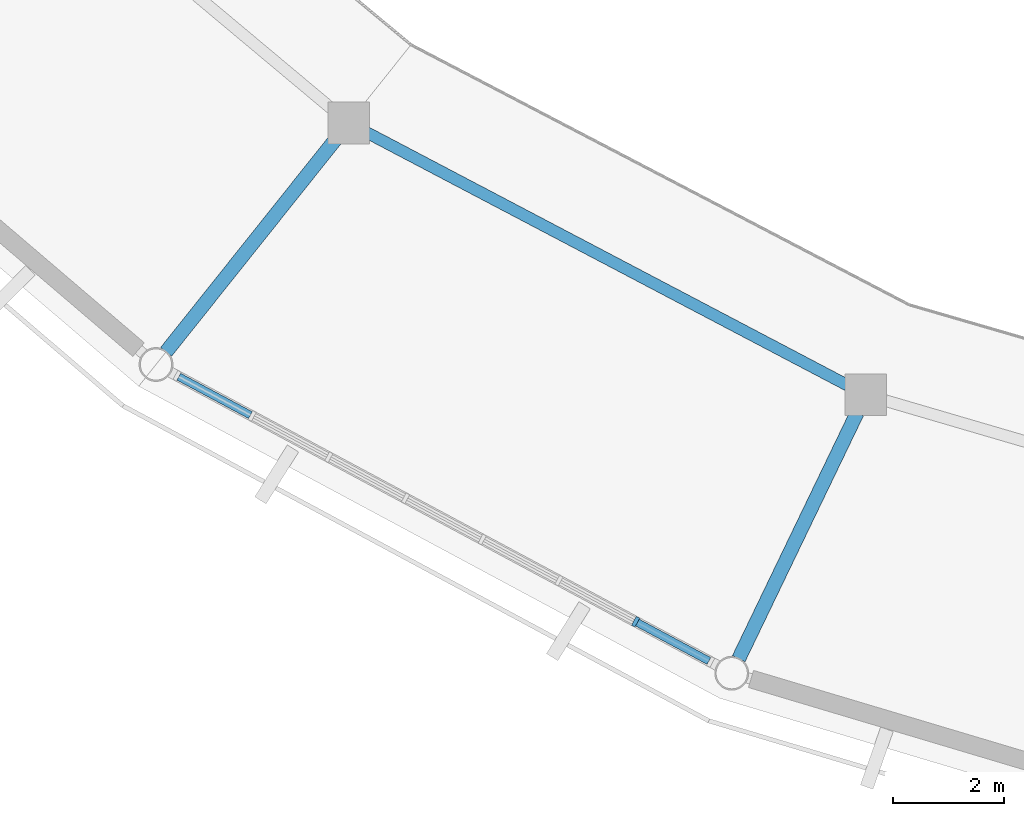
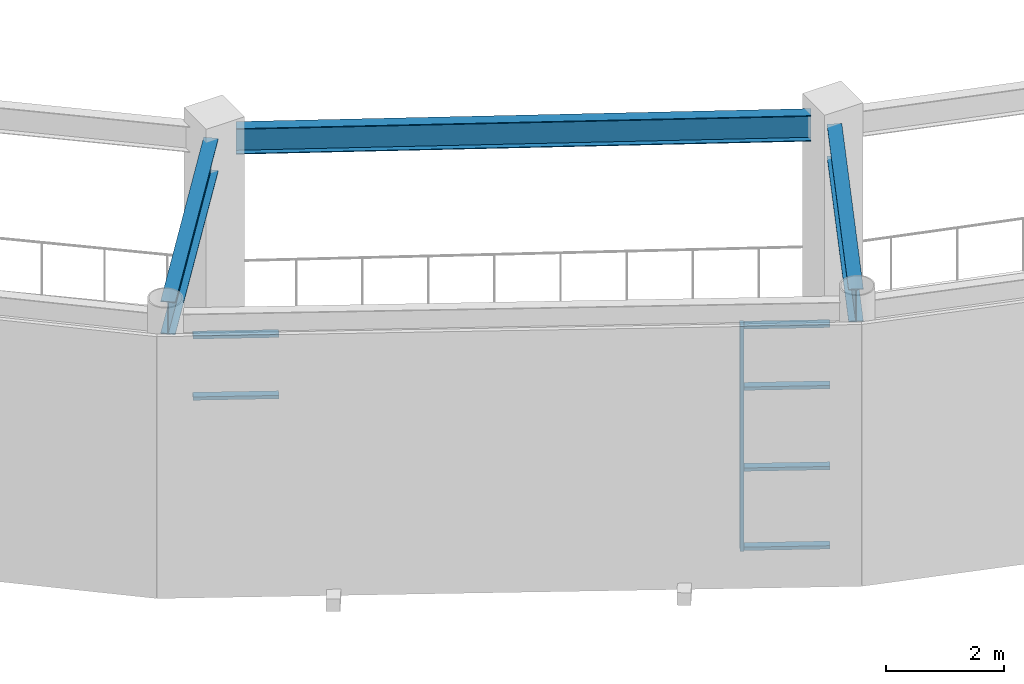
# One storey, part 13 of 70: 7 members, 3 beams, 1 element without a shape of its own.
"""IFC4 building model written with IfcOpenShell, lengths in metres."""

from ifc_helpers import new_model, si_unit, direction, frame, origin, origin_2d, place, context, subcontext, project, spatial, rectangle, i_section, extrude, material, material_profile, profile_set, type_object, element, aggregate, save


model = new_model("IFC4")

# Units and contexts
model_context = context("Model", 3, precision=1e-05, world=origin(), true_north=direction((0.0, 1.0)))
body_context = subcontext(model_context, "Body", "Model", "MODEL_VIEW")
ifc_project = project(units=[si_unit("LENGTHUNIT", "METRE"), si_unit("AREAUNIT", "SQUARE_METRE"), si_unit("VOLUMEUNIT", "CUBIC_METRE"), si_unit("PLANEANGLEUNIT", "RADIAN"), si_unit("MASSUNIT", "GRAM", prefix="KILO")], contexts=[model_context])

# Site, building, storey
site_placement = place(None, origin())
site = spatial("IfcSite", under=ifc_project, at=site_placement, CompositionType="ELEMENT")
building_placement = place(site_placement, origin())
building = spatial("IfcBuilding", under=site, at=building_placement, Name="Cuetzalor Civic Arena", CompositionType="ELEMENT")
storey_placement = place(building_placement, frame((0.0, 0.0, 21.0)))
storey = spatial("IfcBuildingStorey", under=building, at=storey_placement, Name="L04", CompositionType="ELEMENT", Elevation=21.0)

# Curtain wall, members
ifc_material_1 = material(Name="Anodised dark bronze aluminium and low-E solar glass", Category="aluminium")
curtain_wall_type = type_object("IfcCurtainWallType", Name="UnitisedCW_10950x4650", PredefinedType="USERDEFINED", material=ifc_material_1)
curtain_wall_placement = place(storey_placement, origin())
curtain_wall = element("IfcCurtainWall", 1, at=curtain_wall_placement, inside=storey, type_object=curtain_wall_type, Name="Drum Triangle Foyer Curtain Wall L04-064", ObjectType="UNITISED CURTAIN WALL", PredefinedType="USERDEFINED")
ifc_material_2 = material(Name="Anodised dark bronze aluminium", Category="aluminium")
ifc_material_profile_1 = material_profile(ifc_material_2, rectangle(XDim=0.070068359375, YDim=0.179931640625, at=origin_2d()), Name="ALU MULLION 70x180")
ifc_profile_set_1 = profile_set([ifc_material_profile_1], Name="Anodised dark bronze aluminium")
member_type_1 = type_object("IfcMemberType", Name="CurtainWallMullion_65x180", PredefinedType="MULLION", material=ifc_profile_set_1)
member_1_placement = place(storey_placement, frame((-25.39453125, -41.0146484375, 0.0), z_axis=(0.0, 0.0, 1.0), x_axis=(-0.881306344124, 0.472545371163, 0.0)))
member_1 = element("IfcMember", 2, at=member_1_placement, type_object=member_type_1, Name="CW-07 mullion 2", PredefinedType="MULLION", context=body_context, shape_type="SweptSolid", body=[
    extrude(rectangle(XDim=0.070068359375, YDim=0.179931640625, at=origin_2d()), origin(), (0.0, 0.0, 1.0), 4.653076171875),
])
ifc_material_3 = material(Name="Anodised dark bronze aluminium", Category="aluminium")
ifc_material_profile_2 = material_profile(ifc_material_3, rectangle(XDim=0.139892578125, YDim=0.070068359375, at=origin_2d()), Name="ALU TRANSOM 70x140")
ifc_profile_set_2 = profile_set([ifc_material_profile_2], Name="Anodised dark bronze aluminium")
member_type_2 = type_object("IfcMemberType", Name="CurtainWallTransom_65x140", PredefinedType="USERDEFINED", material=ifc_profile_set_2)
member_2_placement = place(storey_placement, frame((-24.078125, -41.720458984375, 0.034912109375), z_axis=(-0.881275880815, 0.472602181432, 0.0), x_axis=(-0.472602181432, -0.881275880815, 0.0)))
member_2 = element("IfcMember", 3, at=member_2_placement, type_object=member_type_2, Name="CW-07 transom 1.1", ObjectType="TRANSOM", PredefinedType="USERDEFINED", context=body_context, shape_type="SweptSolid", body=[
    extrude(rectangle(XDim=0.139892578125, YDim=0.070068359375, at=origin_2d()), origin(), (0.0, 0.0, 1.0), 1.458740234375),
])
member_3_placement = place(storey_placement, frame((-24.078125, -41.720458984375, 1.675048828125), z_axis=(-0.881275880815, 0.472602181432, 0.0), x_axis=(-0.472602181432, -0.881275880815, 0.0)))
member_3 = element("IfcMember", 4, at=member_3_placement, type_object=member_type_2, Name="CW-07 transom 1.2", ObjectType="TRANSOM", PredefinedType="USERDEFINED", context=body_context, shape_type="SweptSolid", body=[
    extrude(rectangle(XDim=0.139892578125, YDim=0.070068359375, at=origin_2d()), origin(), (0.0, 0.0, 1.0), 1.458740234375),
])
member_4_placement = place(storey_placement, frame((-24.078125, -41.720458984375, 3.35009765625), z_axis=(-0.881275880815, 0.472602181432, 0.0), x_axis=(-0.472602181432, -0.881275880815, 0.0)))
member_4 = element("IfcMember", 5, at=member_4_placement, type_object=member_type_2, Name="CW-07 transom 1.3", ObjectType="TRANSOM", PredefinedType="USERDEFINED", context=body_context, shape_type="SweptSolid", body=[
    extrude(rectangle(XDim=0.139892578125, YDim=0.070068359375, at=origin_2d()), origin(), (0.0, 0.0, 1.0), 1.458740234375),
])
member_5_placement = place(storey_placement, frame((-24.078125, -41.720458984375, 4.617919921875), z_axis=(-0.881275880815, 0.472602181432, 0.0), x_axis=(-0.472602181432, -0.881275880815, 0.0)))
member_5 = element("IfcMember", 6, at=member_5_placement, type_object=member_type_2, Name="CW-07 transom 1.4", ObjectType="TRANSOM", PredefinedType="USERDEFINED", context=body_context, shape_type="SweptSolid", body=[
    extrude(rectangle(XDim=0.139892578125, YDim=0.070068359375, at=origin_2d()), origin(), (0.0, 0.0, 1.0), 1.458740234375),
])
member_6_placement = place(storey_placement, frame((-32.316162109375, -37.30322265625, 3.35009765625), z_axis=(-0.881345577681, 0.472472192517, 0.0), x_axis=(-0.472472192517, -0.881345577681, 0.0)))
member_6 = element("IfcMember", 7, at=member_6_placement, type_object=member_type_2, Name="CW-07 transom 7.3", ObjectType="TRANSOM", PredefinedType="USERDEFINED", context=body_context, shape_type="SweptSolid", body=[
    extrude(rectangle(XDim=0.139892578125, YDim=0.070068359375, at=origin_2d()), origin(), (0.0, 0.0, 1.0), 1.458740234375),
])
member_7_placement = place(storey_placement, frame((-32.316162109375, -37.30322265625, 4.617919921875), z_axis=(-0.881345577681, 0.472472192517, 0.0), x_axis=(-0.472472192517, -0.881345577681, 0.0)))
member_7 = element("IfcMember", 8, at=member_7_placement, type_object=member_type_2, Name="CW-07 transom 7.4", ObjectType="TRANSOM", PredefinedType="USERDEFINED", context=body_context, shape_type="SweptSolid", body=[
    extrude(rectangle(XDim=0.139892578125, YDim=0.070068359375, at=origin_2d()), origin(), (0.0, 0.0, 1.0), 1.458740234375),
])
aggregate(curtain_wall, [member_1, member_2, member_3, member_4, member_5, member_6, member_7])

# Beams
ifc_material_4 = material(Name="Steel S355", Category="steel")
ifc_material_profile_3 = material_profile(ifc_material_4, i_section(OverallWidth=0.208984375, OverallDepth=0.532958984375, WebThickness=0.01025390625, FlangeThickness=0.015625, at=origin_2d()), Name="W530x92")
ifc_profile_set_3 = profile_set([ifc_material_profile_3], Name="Steel S355")
beam_type_1 = type_object("IfcBeamType", Name="SteelCollarGirder_W530", PredefinedType="BEAM", material=ifc_profile_set_3)
beam_placement = place(storey_placement, frame((-30.223388671875, -32.227294921875, 4.853515625), z_axis=(0.885117354883, -0.465367884673, 0.0), x_axis=(0.465367884673, 0.885117354883, 0.0)))
element("IfcBeam", 9, at=beam_placement, inside=storey, type_object=beam_type_1, Name="Drum Concourse Ring Girder L04-S19", PredefinedType="BEAM", context=body_context, shape_type="SweptSolid", body=[
    extrude(i_section(OverallWidth=0.208984375, OverallDepth=0.532958984375, WebThickness=0.01025390625, FlangeThickness=0.015625, at=origin_2d()), origin(), (0.0, 0.0, 1.0), 9.75634765625),
])
ifc_material_5 = material(Name="Steel S355", Category="steel")
ifc_material_profile_4 = material_profile(ifc_material_5, i_section(OverallWidth=0.2529296875, OverallDepth=0.677978515625, WebThickness=0.01171875, FlangeThickness=0.016357421875, at=origin_2d()), Name="W690x125")
ifc_profile_set_4 = profile_set([ifc_material_profile_4], Name="Steel S355")
beam_type_2 = type_object("IfcBeamType", Name="SteelPrimaryGirder_W690", PredefinedType="BEAM", material=ifc_profile_set_4)
for number, where, z_axis, x_axis, name in (
    (10, (-30.775390625, -32.336669921875, 4.781005859375), (-0.623515538789, -0.781810957258, 0.0), (0.781810957258, -0.623515538789, 0.0), "Drum Radial Girder L04-R19"),
    (11, (-21.41650390625, -37.263916015625, 4.781005859375), (-0.433871046232, -0.900974980364, 0.0), (0.900974980364, -0.433871046232, 0.0), "Drum Radial Girder L04-R20"),
):
    element("IfcBeam", number, at=place(storey_placement, frame(where, z_axis=z_axis, x_axis=x_axis)), inside=storey, type_object=beam_type_2, Name=name, PredefinedType="BEAM", context=body_context, shape_type="SweptSolid", body=[
        extrude(i_section(OverallWidth=0.2529296875, OverallDepth=0.677978515625, WebThickness=0.01171875, FlangeThickness=0.016357421875, at=origin_2d()), origin(), (0.0, 0.0, 1.0), 4.89990234375),
    ])

save(model, "model.ifc")
